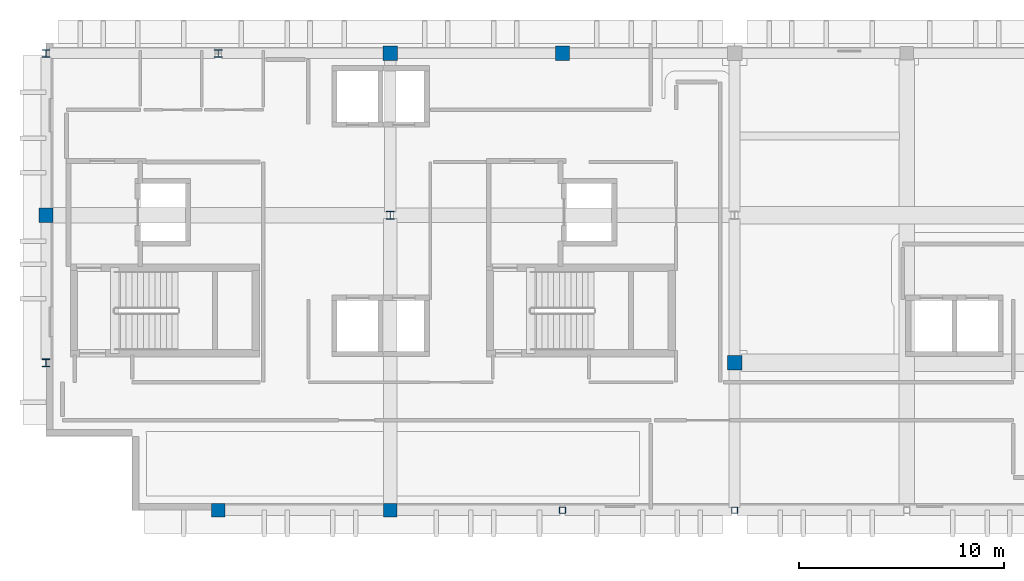
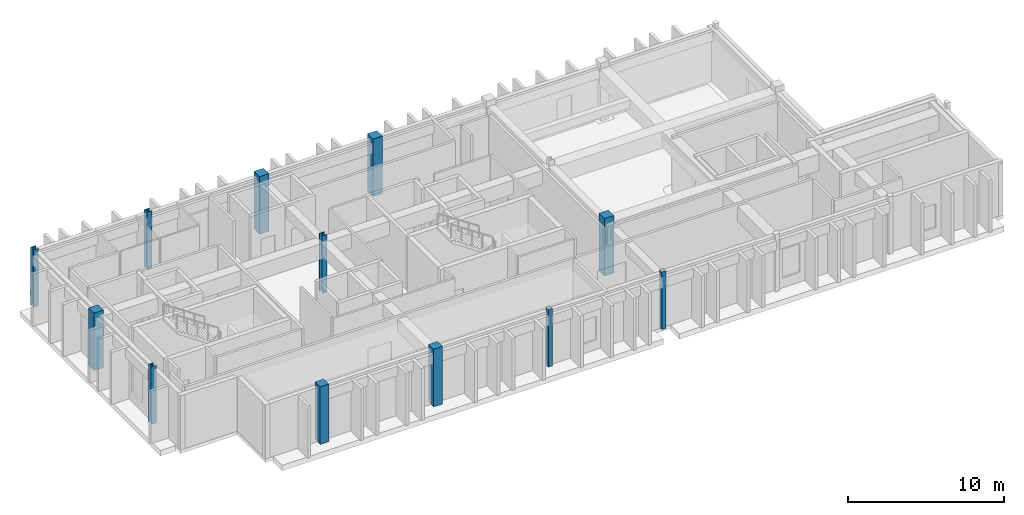
# One storey, part 1 of 8: 12 columns.
"""IFC4 building model written with IfcOpenShell, lengths in metres."""

from ifc_helpers import new_model, si_unit, direction, frame, origin, origin_2d, place, context, subcontext, project, spatial, rectangle, hollow_rectangle, i_section, extrude, material, material_profile, profile_set, type_object, element, save


model = new_model("IFC4")

# Units and contexts
model_context = context("Model", 3, precision=1e-05, world=origin(), true_north=direction((0.0, 1.0)))
body_context = subcontext(model_context, "Body", "Model", "MODEL_VIEW")
ifc_project = project(units=[si_unit("LENGTHUNIT", "METRE"), si_unit("AREAUNIT", "SQUARE_METRE"), si_unit("VOLUMEUNIT", "CUBIC_METRE"), si_unit("PLANEANGLEUNIT", "RADIAN"), si_unit("MASSUNIT", "GRAM", prefix="KILO")], contexts=[model_context])

# Site, building, storey
site_placement = place(None, origin())
site = spatial("IfcSite", under=ifc_project, at=site_placement, CompositionType="ELEMENT")
building_placement = place(site_placement, origin())
building = spatial("IfcBuilding", under=site, at=building_placement, Name="Quendrovan Civic Courthouse", CompositionType="ELEMENT")
storey_placement = place(building_placement, frame((0.0, 0.0, 35.699951171875)))
storey = spatial("IfcBuildingStorey", under=building, at=storey_placement, Name="L08", CompositionType="ELEMENT", Elevation=35.699951171875)

# Columns
ifc_material_1 = material(Name="Concrete C45/55", Category="concrete")
ifc_material_profile_1 = material_profile(ifc_material_1, rectangle(XDim=0.64990234375, YDim=0.64990234375, at=origin_2d()), Name="RC-COL-650x650")
ifc_profile_set_1 = profile_set([ifc_material_profile_1], Name="Concrete C45/55")
column_type_1 = type_object("IfcColumnType", Name="COL-RC650", PredefinedType="COLUMN", material=ifc_profile_set_1)
for number, where, z_axis, x_axis, name in (
    (1, (42.0, 87.60009765625, 0.0), (0.0, 0.0, 1.0), (1.0, 0.0, 0.0), "L08 Column 6-M"),
    (2, (50.39990234375, 87.60009765625, 0.0), (0.0, 0.0, 1.0), (1.0, 0.0, 0.0), "L08 Column 7-M"),
):
    element("IfcColumn", number, at=place(storey_placement, frame(where, z_axis=z_axis, x_axis=x_axis)), inside=storey, type_object=column_type_1, Name=name, PredefinedType="COLUMN", context=body_context, shape_type="SweptSolid", body=[
        extrude(rectangle(XDim=0.64990234375, YDim=0.64990234375, at=origin_2d()), origin(), (0.0, 0.0, 1.0), 4.5),
    ])
ifc_material_profile_2 = material_profile(ifc_material_1, rectangle(XDim=0.699951171875, YDim=0.699951171875, at=origin_2d()), Name="RC-COL-700x700")
ifc_profile_set_2 = profile_set([ifc_material_profile_2], Name="Concrete C45/55")
column_type_2 = type_object("IfcColumnType", Name="COL-RC700", PredefinedType="COLUMN", material=ifc_profile_set_2)
for number, where, z_axis, x_axis, name in (
    (3, (33.60009765625, 102.0, 0.0), (0.0, 0.0, 1.0), (1.0, 0.0, 0.0), "L08 Column 5-P"),
    (4, (50.39990234375, 109.89990234375, 0.0), (0.0, 0.0, 1.0), (1.0, 0.0, 0.0), "L08 Column 7-Q"),
    (5, (58.800048828125, 109.89990234375, 0.0), (0.0, 0.0, 1.0), (1.0, 0.0, 0.0), "L08 Column 8-Q"),
    (6, (67.199951171875, 94.800048828125, 0.0), (0.0, 0.0, 1.0), (1.0, 0.0, 0.0), "L08 Column 9-N"),
):
    element("IfcColumn", number, at=place(storey_placement, frame(where, z_axis=z_axis, x_axis=x_axis)), inside=storey, type_object=column_type_2, Name=name, PredefinedType="COLUMN", context=body_context, shape_type="SweptSolid", body=[
        extrude(rectangle(XDim=0.699951171875, YDim=0.699951171875, at=origin_2d()), origin(), (0.0, 0.0, 1.0), 4.5),
    ])
ifc_material_2 = material(Name="Steel ASTM A500 Grade C", Category="steel")
ifc_material_profile_3 = material_profile(ifc_material_2, hollow_rectangle(XDim=0.300048828125, YDim=0.300048828125, WallThickness=0.011962890625, at=origin_2d()), Name="HSS300x300x12")
ifc_profile_set_3 = profile_set([ifc_material_profile_3], Name="Steel ASTM A500 Grade C")
column_type_3 = type_object("IfcColumnType", Name="COL-STL-HSS300S", PredefinedType="COLUMN", material=ifc_profile_set_3)
for number, where, z_axis, x_axis, name in (
    (7, (58.800048828125, 87.60009765625, 0.0), (0.0, 0.0, 1.0), (1.0, 0.0, 0.0), "L08 Column 8-M"),
    (8, (67.199951171875, 87.60009765625, 0.0), (0.0, 0.0, 1.0), (1.0, 0.0, 0.0), "L08 Column 9-M"),
):
    element("IfcColumn", number, at=place(storey_placement, frame(where, z_axis=z_axis, x_axis=x_axis)), inside=storey, type_object=column_type_3, Name=name, PredefinedType="COLUMN", context=body_context, shape_type="SweptSolid", body=[
        extrude(hollow_rectangle(XDim=0.300048828125, YDim=0.300048828125, WallThickness=0.011962890625, at=origin_2d()), origin(), (0.0, 0.0, 1.0), 4.5),
    ])
ifc_material_3 = material(Name="Steel ASTM A992 Grade 50", Category="steel")
ifc_material_profile_4 = material_profile(ifc_material_3, i_section(OverallWidth=0.3740234375, OverallDepth=0.3720703125, WebThickness=0.016357421875, FlangeThickness=0.026123046875, at=origin_2d()), Name="W14X132")
ifc_profile_set_4 = profile_set([ifc_material_profile_4], Name="Steel ASTM A992 Grade 50")
column_type_4 = type_object("IfcColumnType", Name="COL-STL-W14X132", PredefinedType="COLUMN", material=ifc_profile_set_4)
for number, where, z_axis, x_axis, name in (
    (9, (33.60009765625, 94.800048828125, 0.0), (0.0, 0.0, 1.0), (1.0, 0.0, 0.0), "L08 Column 5-N"),
    (10, (33.60009765625, 109.89990234375, 0.0), (0.0, 0.0, 1.0), (1.0, 0.0, 0.0), "L08 Column 5-Q"),
    (11, (42.0, 109.89990234375, 0.0), (0.0, 0.0, 1.0), (1.0, 0.0, 0.0), "L08 Column 6-Q"),
    (12, (50.39990234375, 102.0, 0.0), (0.0, 0.0, 1.0), (1.0, 0.0, 0.0), "L08 Column 7-P"),
):
    element("IfcColumn", number, at=place(storey_placement, frame(where, z_axis=z_axis, x_axis=x_axis)), inside=storey, type_object=column_type_4, Name=name, PredefinedType="COLUMN", context=body_context, shape_type="SweptSolid", body=[
        extrude(i_section(OverallWidth=0.3740234375, OverallDepth=0.3720703125, WebThickness=0.016357421875, FlangeThickness=0.026123046875, at=origin_2d()), origin(), (0.0, 0.0, 1.0), 4.5),
    ])

save(model, "model.ifc")
